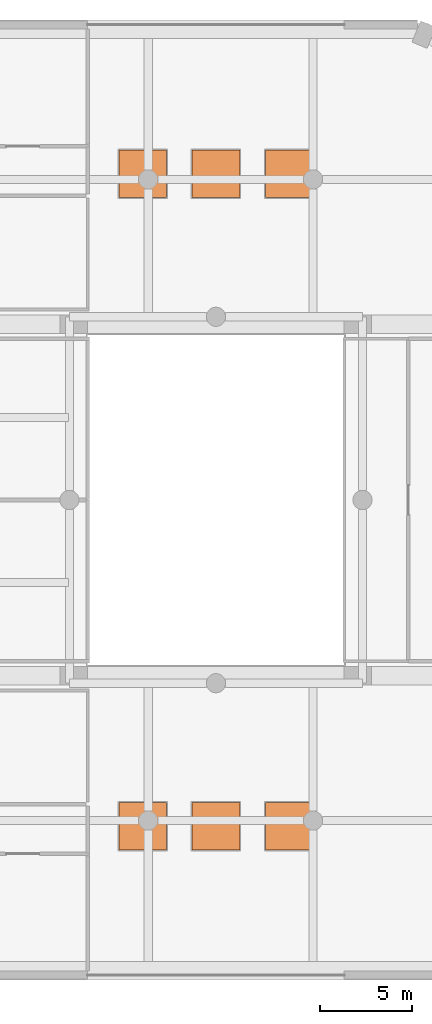
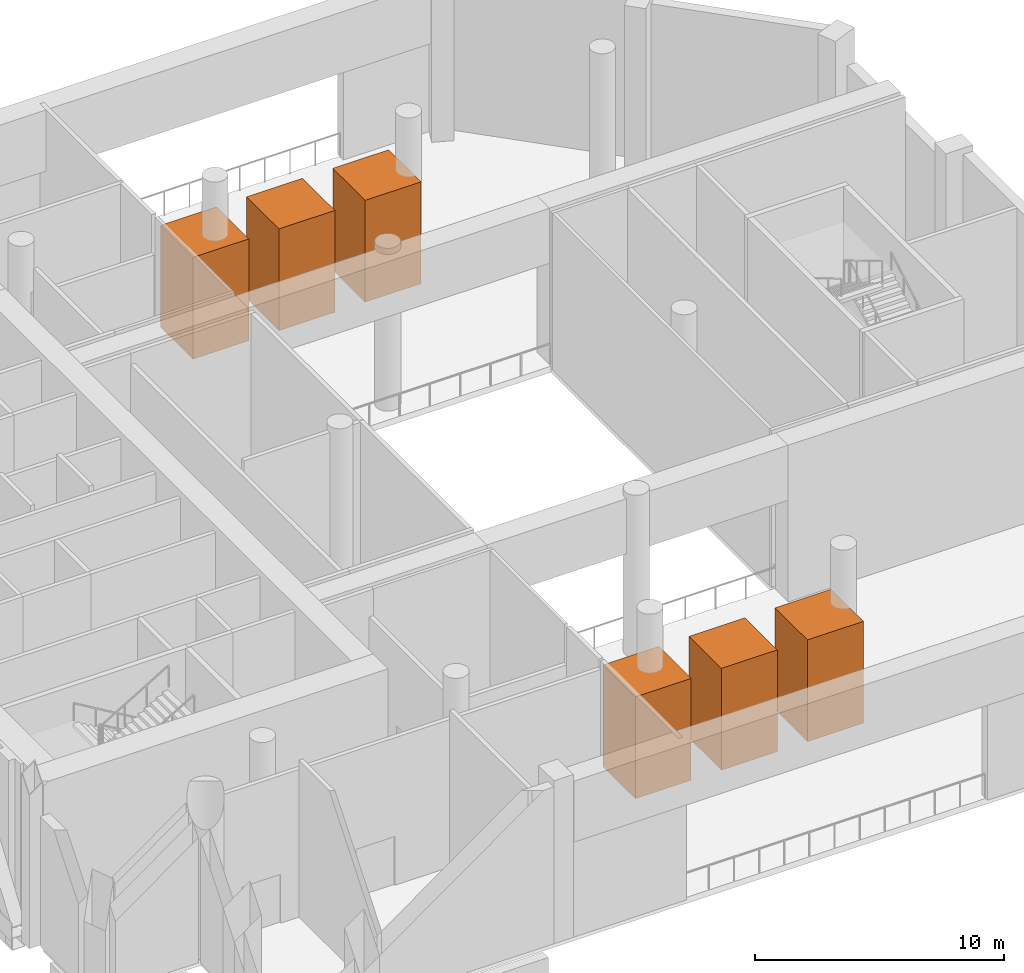
# One storey, part 14 of 14: 6 proxies.
"""IFC4 building model written with IfcOpenShell, lengths in metres."""

from ifc_helpers import new_model, si_unit, direction, frame, origin, origin_2d, place, context, subcontext, project, spatial, rectangle, extrude, material, type_object, element, save


model = new_model("IFC4")

# Units and contexts
model_context = context("Model", 3, precision=1e-05, world=origin(), true_north=direction((0.0, 1.0)))
body_context = subcontext(model_context, "Body", "Model", "MODEL_VIEW")
ifc_project = project(units=[si_unit("LENGTHUNIT", "METRE"), si_unit("AREAUNIT", "SQUARE_METRE"), si_unit("VOLUMEUNIT", "CUBIC_METRE"), si_unit("PLANEANGLEUNIT", "RADIAN"), si_unit("MASSUNIT", "GRAM", prefix="KILO")], contexts=[model_context])

# Site, building, storey
site_placement = place(None, origin())
site = spatial("IfcSite", under=ifc_project, at=site_placement, CompositionType="ELEMENT")
building_placement = place(site_placement, origin())
building = spatial("IfcBuilding", under=site, at=building_placement, Name="Cypress Arch Tower", CompositionType="ELEMENT")
storey_placement = place(building_placement, frame((0.0, 0.0, 152.5)))
storey = spatial("IfcBuildingStorey", under=building, at=storey_placement, Name="L33", CompositionType="ELEMENT", Elevation=152.5)

# Proxies
ifc_material = material(Name="Steel ASTM A572 Grade 50, galvanised", Category="steel")
building_element_proxy_type = type_object("IfcBuildingElementProxyType", Name="Vertical-axis wind turbine WT26", PredefinedType="USERDEFINED", material=ifc_material)
for number, where, z_axis, x_axis, name in (
    (1, (-3.0, -17.800048828125, 0.10009765625), (0.0, 0.0, 1.0), (1.0, 0.0, 0.0), "Wind turbine S1"),
    (2, (1.0, -17.800048828125, 0.10009765625), (0.0, 0.0, 1.0), (1.0, 0.0, 0.0), "Wind turbine S2"),
    (3, (5.0, -17.800048828125, 0.10009765625), (0.0, 0.0, 1.0), (1.0, 0.0, 0.0), "Wind turbine S3"),
    (4, (-3.0, 17.800048828125, 0.10009765625), (0.0, 0.0, 1.0), (1.0, 0.0, 0.0), "Wind turbine N1"),
    (5, (1.0, 17.800048828125, 0.10009765625), (0.0, 0.0, 1.0), (1.0, 0.0, 0.0), "Wind turbine N2"),
    (6, (5.0, 17.800048828125, 0.10009765625), (0.0, 0.0, 1.0), (1.0, 0.0, 0.0), "Wind turbine N3"),
):
    element("IfcBuildingElementProxy", number, at=place(storey_placement, frame(where, z_axis=z_axis, x_axis=x_axis)), inside=storey, type_object=building_element_proxy_type, Name=name, ObjectType="WIND TURBINE", PredefinedType="USERDEFINED", context=body_context, shape_type="SweptSolid", body=[
        extrude(rectangle(XDim=2.60009765625, YDim=2.60009765625, at=origin_2d()), origin(), (0.0, 0.0, 1.0), 5.0),
    ])

save(model, "model.ifc")
